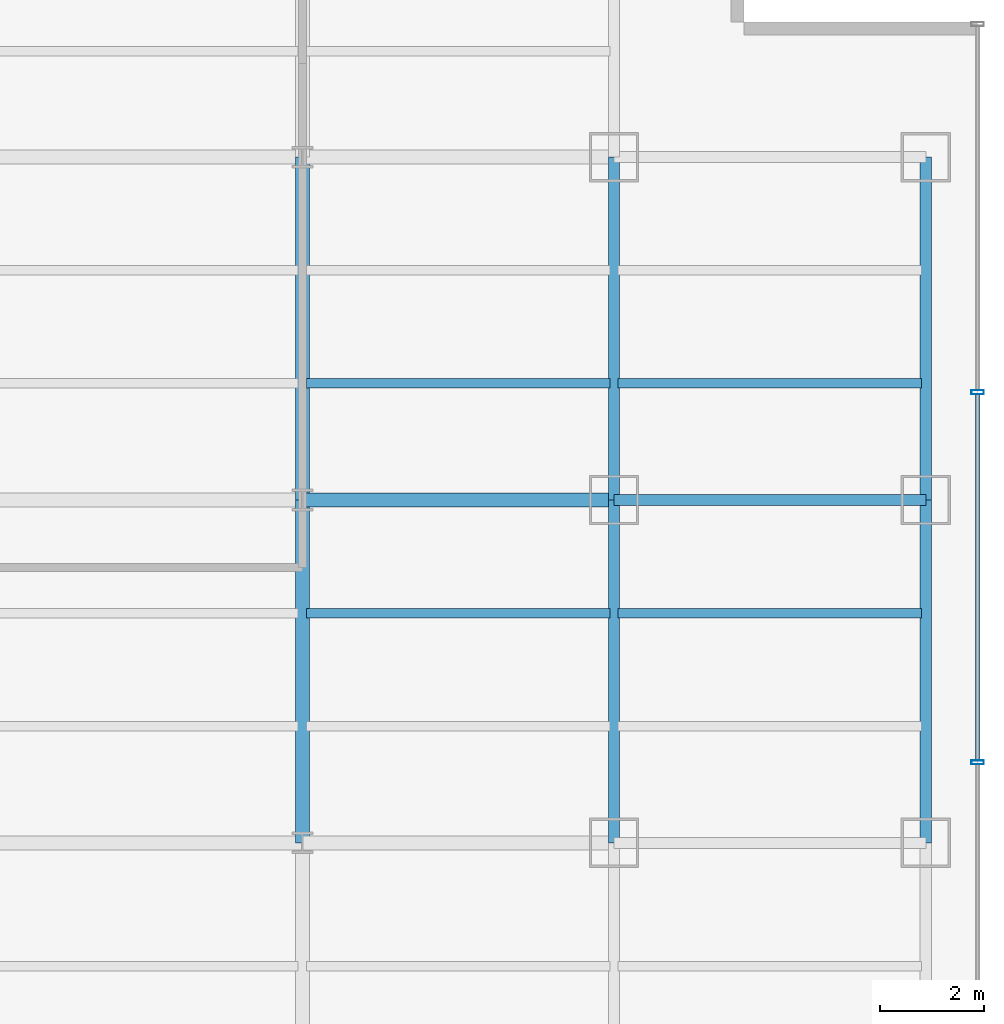
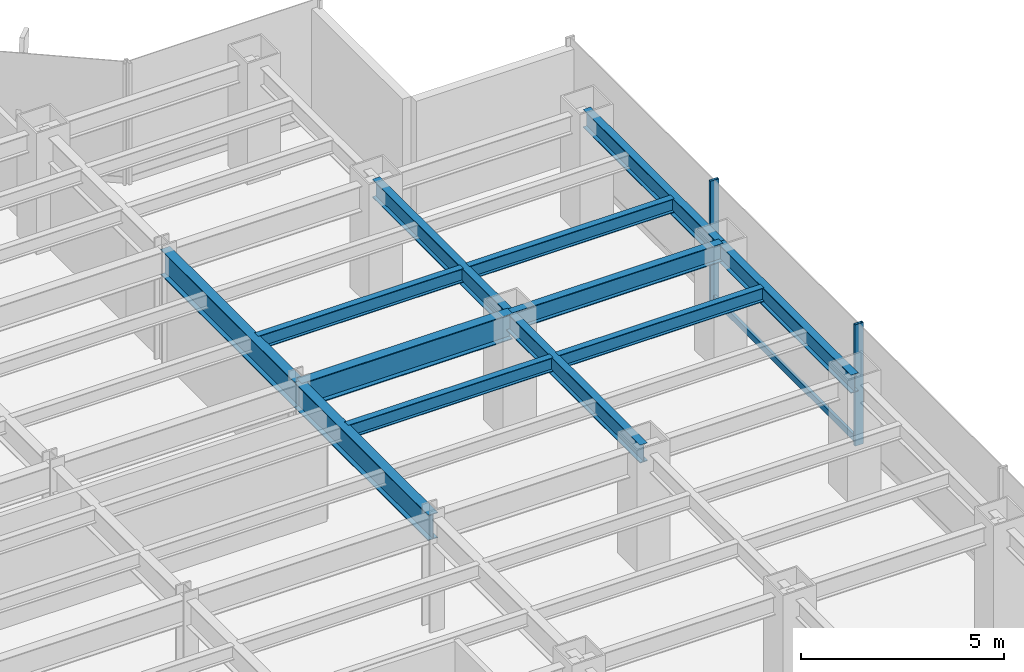
# One storey, part 9 of 23: 12 beams, 3 members, 1 element without a shape of its own.
"""IFC4 building model written with IfcOpenShell, lengths in metres."""

from ifc_helpers import new_model, si_unit, derived_unit, direction, frame, origin, origin_2d, place, context, subcontext, project, spatial, hollow_rectangle, i_section, extrude, source, transform, mapped, material, material_profile, profile_set, type_object, element, aggregate, save


model = new_model("IFC4")

# Units and contexts
model_context = context("Model", 3, precision=1e-05, world=origin(), true_north=direction((0.0, 1.0)))
body_context = subcontext(model_context, "Body", "Model", "MODEL_VIEW")
ifc_project = project(units=[si_unit("LENGTHUNIT", "METRE"), si_unit("AREAUNIT", "SQUARE_METRE"), si_unit("VOLUMEUNIT", "CUBIC_METRE"), si_unit("PLANEANGLEUNIT", "RADIAN"), si_unit("MASSUNIT", "GRAM", prefix="KILO"), derived_unit("THERMALTRANSMITTANCEUNIT", [(si_unit("POWERUNIT", "WATT"), 1), (si_unit("LENGTHUNIT", "METRE"), -2), (si_unit("THERMODYNAMICTEMPERATUREUNIT", "KELVIN"), -1)])], contexts=[model_context])

# Site, building, storey
site_placement = place(None, origin())
site = spatial("IfcSite", under=ifc_project, at=site_placement, CompositionType="ELEMENT")
building_placement = place(site_placement, origin())
building = spatial("IfcBuilding", under=site, at=building_placement, Name="Skarnbrae Concourse Arena and Tower", CompositionType="ELEMENT")
storey_placement = place(building_placement, frame((0.0, 0.0, 43.449951171875)))
storey = spatial("IfcBuildingStorey", under=building, at=storey_placement, Name="L09", CompositionType="ELEMENT", Elevation=43.449951171875)

# Beams
ifc_material_1 = material(Name="Steel CSA G40.21 350W", Category="steel")
ifc_material_profile_1 = material_profile(ifc_material_1, i_section(OverallWidth=0.214111328125, OverallDepth=0.549072265625, WebThickness=0.0146484375, FlangeThickness=0.023681640625, at=origin_2d()), Name="W530X138")
ifc_profile_set_1 = profile_set([ifc_material_profile_1], Name="Steel CSA G40.21 350W")
beam_type_1 = type_object("IfcBeamType", Name="BM-SPAN-W530X138", PredefinedType="SPANDREL", material=ifc_profile_set_1)
shared_shape_1 = source(origin(), body_context, "Body", "SweptSolid", [
    extrude(i_section(OverallWidth=0.214111328125, OverallDepth=0.549072265625, WebThickness=0.0146484375, FlangeThickness=0.023681640625, at=origin_2d()), origin(), (0.0, 0.0, 1.0), 6.0),
])
beam_1_placement = place(storey_placement, frame((55.0, 27.800048828125, 3.12548828125), z_axis=(1.0, 0.0, 0.0), x_axis=(0.0, 1.0, 0.0)))
element("IfcBeam", 1, at=beam_1_placement, inside=storey, type_object=beam_type_1, Name="L09 Perimeter spandrel Y27.8-9", PredefinedType="SPANDREL", context=body_context, shape_type="MappedRepresentation", body=[
    mapped(shared_shape_1, transform((0.0, 0.0, 0.0))),
])
ifc_material_profile_2 = material_profile(ifc_material_1, i_section(OverallWidth=0.26806640625, OverallDepth=0.77001953125, WebThickness=0.015625, FlangeThickness=0.025390625, at=origin_2d()), Name="W760X196")
ifc_profile_set_2 = profile_set([ifc_material_profile_2], Name="Steel CSA G40.21 350W")
beam_type_2 = type_object("IfcBeamType", Name="BM-GIRD-W760X196", PredefinedType="BEAM", material=ifc_profile_set_2)
shared_shape_2 = source(origin(), body_context, "Body", "SweptSolid", [
    extrude(i_section(OverallWidth=0.26806640625, OverallDepth=0.77001953125, WebThickness=0.015625, FlangeThickness=0.025390625, at=origin_2d()), origin(), (0.0, 0.0, 1.0), 6.60009765625),
])
beam_2_placement = place(storey_placement, frame((49.0, 21.199951171875, 3.01513671875), z_axis=(0.0, 1.0, 0.0), x_axis=(-1.0, 0.0, 0.0)))
element("IfcBeam", 2, at=beam_2_placement, inside=storey, type_object=beam_type_2, Name="L09 Primary N-S girder X49.0-3", PredefinedType="BEAM", context=body_context, shape_type="MappedRepresentation", body=[
    mapped(shared_shape_2, transform((0.0, 0.0, 0.0))),
])
shared_shape_3 = source(origin(), body_context, "Body", "SweptSolid", [
    extrude(i_section(OverallWidth=0.26806640625, OverallDepth=0.77001953125, WebThickness=0.015625, FlangeThickness=0.025390625, at=origin_2d()), origin(), (0.0, 0.0, 1.0), 6.0),
])
beam_3_placement = place(storey_placement, frame((49.0, 27.800048828125, 3.01513671875), z_axis=(1.0, 0.0, 0.0), x_axis=(0.0, 1.0, 0.0)))
element("IfcBeam", 3, at=beam_3_placement, inside=storey, type_object=beam_type_2, Name="L09 Primary E-W girder Y27.8-8", PredefinedType="BEAM", context=body_context, shape_type="MappedRepresentation", body=[
    mapped(shared_shape_3, transform((0.0, 0.0, 0.0))),
])
shared_shape_4 = source(origin(), body_context, "Body", "SweptSolid", [
    extrude(i_section(OverallWidth=0.214111328125, OverallDepth=0.549072265625, WebThickness=0.0146484375, FlangeThickness=0.023681640625, at=origin_2d()), origin(), (0.0, 0.0, 1.0), 6.60009765625),
])
for number, where, z_axis, x_axis, name in (
    (4, (55.0, 21.199951171875, 3.12548828125), (0.0, 1.0, 0.0), (-1.0, 0.0, 0.0), "L09 Perimeter spandrel X55.0-3"),
    (5, (61.0, 21.199951171875, 3.12548828125), (0.0, 1.0, 0.0), (-1.0, 0.0, 0.0), "L09 Perimeter spandrel X61.0-3"),
):
    element("IfcBeam", number, at=place(storey_placement, frame(where, z_axis=z_axis, x_axis=x_axis)), inside=storey, type_object=beam_type_1, Name=name, PredefinedType="SPANDREL", context=body_context, shape_type="MappedRepresentation", body=[
        mapped(shared_shape_4, transform((0.0, 0.0, 0.0))),
    ])
shared_shape_5 = source(origin(), body_context, "Body", "SweptSolid", [
    extrude(i_section(OverallWidth=0.214111328125, OverallDepth=0.549072265625, WebThickness=0.0146484375, FlangeThickness=0.023681640625, at=origin_2d()), origin(), (0.0, 0.0, 1.0), 6.599853515625),
])
for number, where, z_axis, x_axis, name in (
    (6, (55.0, 27.800048828125, 3.12548828125), (0.0, 1.0, 0.0), (-1.0, 0.0, 0.0), "L09 Perimeter spandrel X55.0-4"),
    (7, (61.0, 27.800048828125, 3.12548828125), (0.0, 1.0, 0.0), (-1.0, 0.0, 0.0), "L09 Perimeter spandrel X61.0-4"),
):
    element("IfcBeam", number, at=place(storey_placement, frame(where, z_axis=z_axis, x_axis=x_axis)), inside=storey, type_object=beam_type_1, Name=name, PredefinedType="SPANDREL", context=body_context, shape_type="MappedRepresentation", body=[
        mapped(shared_shape_5, transform((0.0, 0.0, 0.0))),
    ])
shared_shape_6 = source(origin(), body_context, "Body", "SweptSolid", [
    extrude(i_section(OverallWidth=0.26806640625, OverallDepth=0.77001953125, WebThickness=0.015625, FlangeThickness=0.025390625, at=origin_2d()), origin(), (0.0, 0.0, 1.0), 6.599853515625),
])
beam_4_placement = place(storey_placement, frame((49.0, 27.800048828125, 3.01513671875), z_axis=(0.0, 1.0, 0.0), x_axis=(-1.0, 0.0, 0.0)))
element("IfcBeam", 8, at=beam_4_placement, inside=storey, type_object=beam_type_2, Name="L09 Primary N-S girder X49.0-4", PredefinedType="BEAM", context=body_context, shape_type="MappedRepresentation", body=[
    mapped(shared_shape_6, transform((0.0, 0.0, 0.0))),
])
ifc_material_profile_3 = material_profile(ifc_material_1, i_section(OverallWidth=0.180908203125, OverallDepth=0.4169921875, WebThickness=0.010986328125, FlangeThickness=0.018310546875, at=origin_2d()), Name="W410X85")
ifc_profile_set_3 = profile_set([ifc_material_profile_3], Name="Steel CSA G40.21 350W")
beam_type_3 = type_object("IfcBeamType", Name="BM-JOIST-W410X85", PredefinedType="JOIST", material=ifc_profile_set_3)
shared_shape_7 = source(origin(), body_context, "Body", "SweptSolid", [
    extrude(i_section(OverallWidth=0.180908203125, OverallDepth=0.4169921875, WebThickness=0.010986328125, FlangeThickness=0.018310546875, at=origin_2d()), origin(), (0.0, 0.0, 1.0), 5.83984375),
])
for number, where, z_axis, x_axis, name in (
    (9, (49.080078125, 25.6220703125, 3.191650390625), (1.0, 0.0, 0.0), (0.0, 1.0, 0.0), "L09 Secondary floor joist 2.2.8"),
    (10, (55.080078125, 25.6220703125, 3.191650390625), (1.0, 0.0, 0.0), (0.0, 1.0, 0.0), "L09 Secondary floor joist 2.2.9"),
    (11, (49.080078125, 30.0439453125, 3.191650390625), (1.0, 0.0, 0.0), (0.0, 1.0, 0.0), "L09 Secondary floor joist 3.1.8"),
    (12, (55.080078125, 30.0439453125, 3.191650390625), (1.0, 0.0, 0.0), (0.0, 1.0, 0.0), "L09 Secondary floor joist 3.1.9"),
):
    element("IfcBeam", number, at=place(storey_placement, frame(where, z_axis=z_axis, x_axis=x_axis)), inside=storey, type_object=beam_type_3, Name=name, PredefinedType="JOIST", context=body_context, shape_type="MappedRepresentation", body=[
        mapped(shared_shape_7, transform((0.0, 0.0, 0.0))),
    ])

# Curtain wall, members
ifc_material_2 = material(Name="Bronze anodised aluminium 6063-T6", Category="aluminium")
curtain_wall_type = type_object("IfcCurtainWallType", Name="CW-SYS-02-LOWZONE", PredefinedType="USERDEFINED", material=ifc_material_2)
curtain_wall_placement = place(storey_placement, origin())
curtain_wall = element("IfcCurtainWall", 13, at=curtain_wall_placement, inside=storey, type_object=curtain_wall_type, Name="L09 Unitised curtain wall CW-L09-E04", ObjectType="UNITISED CURTAIN WALL", PredefinedType="USERDEFINED")
ifc_material_profile_4 = material_profile(ifc_material_2, hollow_rectangle(XDim=0.080078125, YDim=0.18994140625, WallThickness=0.0048828125, at=origin_2d()), Name="ALU-TRAN-80X190")
ifc_profile_set_4 = profile_set([ifc_material_profile_4], Name="Bronze anodised aluminium 6063-T6")
member_type_1 = type_object("IfcMemberType", Name="CWT-CW-02", PredefinedType="USERDEFINED", material=ifc_profile_set_4)
shared_shape_8 = source(origin(), body_context, "Body", "SweptSolid", [
    extrude(hollow_rectangle(XDim=0.080078125, YDim=0.18994140625, WallThickness=0.0048828125, at=origin_2d()), origin(), (0.0, 0.0, 1.0), 7.044921875),
])
member_1_placement = place(storey_placement, frame((62.0, 22.7900390625, 0.094970703125), z_axis=(0.0, 1.0, 0.0), x_axis=(-1.0, 0.0, 0.0)))
member_1 = element("IfcMember", 14, at=member_1_placement, type_object=member_type_1, Name="CW-L09-E04 Transom 3", ObjectType="TRANSOM", PredefinedType="USERDEFINED", context=body_context, shape_type="MappedRepresentation", body=[
    mapped(shared_shape_8, transform((0.0, 0.0, 0.0))),
])
ifc_material_profile_5 = material_profile(ifc_material_2, hollow_rectangle(XDim=0.080078125, YDim=0.239990234375, WallThickness=0.0048828125, at=origin_2d()), Name="ALU-MULL-80X240")
ifc_profile_set_5 = profile_set([ifc_material_profile_5], Name="Bronze anodised aluminium 6063-T6")
member_type_2 = type_object("IfcMemberType", Name="CWM-CW-02", PredefinedType="MULLION", material=ifc_profile_set_5)
shared_shape_9 = source(origin(), body_context, "Body", "SweptSolid", [
    extrude(hollow_rectangle(XDim=0.080078125, YDim=0.239990234375, WallThickness=0.0048828125, at=origin_2d()), origin(), (0.0, 0.0, 1.0), 3.650146484375),
])
member_2_placement = place(storey_placement, frame((62.0, 22.75, 0.0), z_axis=(0.0, 0.0, 1.0), x_axis=(0.0, 1.0, 0.0)))
member_2 = element("IfcMember", 15, at=member_2_placement, type_object=member_type_2, Name="CW-L09-E04 Mullion 3", PredefinedType="MULLION", context=body_context, shape_type="MappedRepresentation", body=[
    mapped(shared_shape_9, transform((0.0, 0.0, 0.0))),
])
member_3_placement = place(storey_placement, frame((62.0, 29.875, 0.0), z_axis=(0.0, 0.0, 1.0), x_axis=(0.0, 1.0, 0.0)))
member_3 = element("IfcMember", 16, at=member_3_placement, type_object=member_type_2, Name="CW-L09-E04 Mullion 4", PredefinedType="MULLION", context=body_context, shape_type="MappedRepresentation", body=[
    mapped(shared_shape_9, transform((0.0, 0.0, 0.0))),
])
aggregate(curtain_wall, [member_2, member_3, member_1])

save(model, "model.ifc")
